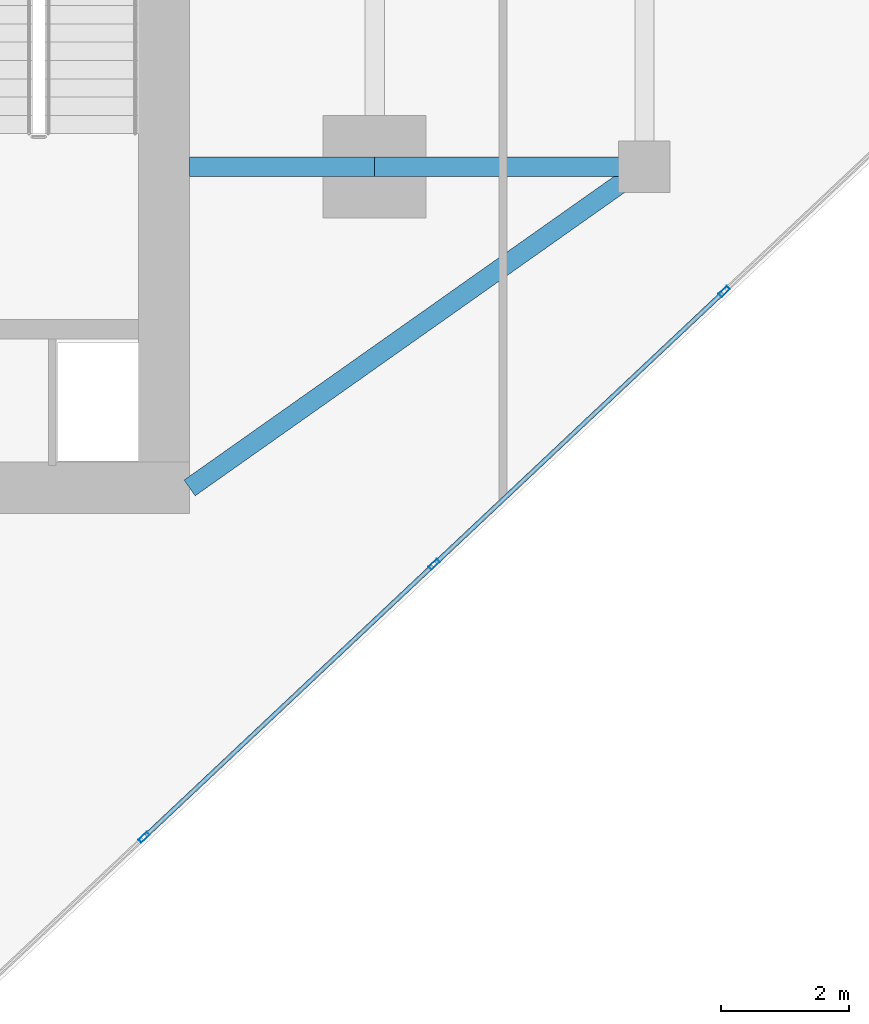
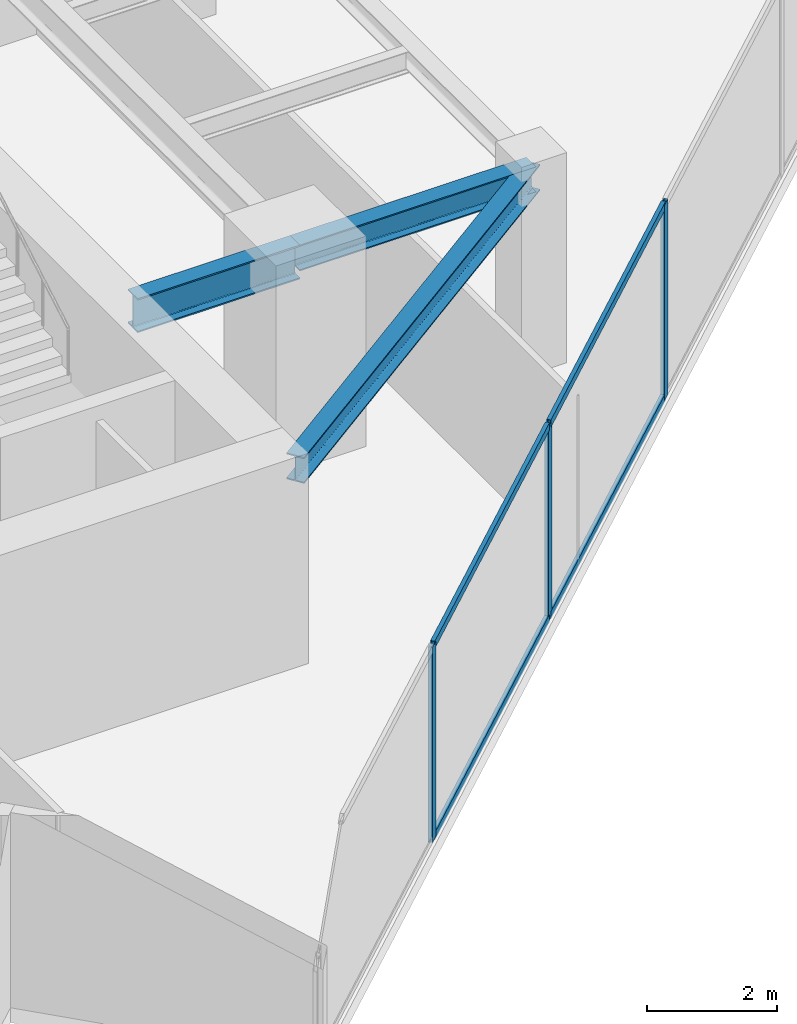
# One storey, part 9 of 25: 7 members, 3 beams, 1 element without a shape of its own.
"""IFC4 building model written with IfcOpenShell, lengths in metres."""

from ifc_helpers import new_model, si_unit, direction, frame, origin, origin_2d, place, context, subcontext, project, spatial, hollow_rectangle, i_section, extrude, source, transform, mapped, material, material_profile, profile_set, type_object, type_shapes, element, aggregate, save


model = new_model("IFC4")

# Units and contexts
model_context = context("Model", 3, precision=1e-05, world=origin(), true_north=direction((0.0, 1.0)))
body_context = subcontext(model_context, "Body", "Model", "MODEL_VIEW")
ifc_project = project(units=[si_unit("LENGTHUNIT", "METRE"), si_unit("AREAUNIT", "SQUARE_METRE"), si_unit("VOLUMEUNIT", "CUBIC_METRE"), si_unit("PLANEANGLEUNIT", "RADIAN"), si_unit("MASSUNIT", "GRAM", prefix="KILO")], contexts=[model_context])

# Site, building, storey
site_placement = place(None, origin())
site = spatial("IfcSite", under=ifc_project, at=site_placement, CompositionType="ELEMENT")
building_placement = place(site_placement, origin())
building = spatial("IfcBuilding", under=site, at=building_placement, Name="Krantzveldt Concourse Tower", CompositionType="ELEMENT")
storey_placement = place(building_placement, frame((0.0, 0.0, 238.89990234375)))
storey = spatial("IfcBuildingStorey", under=building, at=storey_placement, Name="L58", CompositionType="ELEMENT", Elevation=238.89990234375)

# Beams
ifc_material_1 = material(Name="Steel S355JR", Category="steel")
ifc_material_profile_1 = material_profile(ifc_material_1, i_section(OverallWidth=0.300048828125, OverallDepth=0.639892578125, WebThickness=0.013427734375, FlangeThickness=0.02587890625, FilletRadius=0.027099609375, at=origin_2d()), Name="Steel S355JR", Category="steel")
ifc_profile_set_1 = profile_set([ifc_material_profile_1], Name="Steel S355JR - HEA 650")
beam_type_1 = type_object("IfcBeamType", Name="BM-B-HEA650", PredefinedType="BEAM", material=ifc_profile_set_1)
shared_shape_1 = source(origin(), body_context, "Body", "SweptSolid", [
    extrude(i_section(OverallWidth=0.300048828125, OverallDepth=0.639892578125, WebThickness=0.013427734375, FlangeThickness=0.02587890625, FilletRadius=0.027099609375, at=origin_2d()), origin(), (0.0, 0.0, 1.0), 2.880126953125),
])
type_shapes(beam_type_1, [shared_shape_1])
beam_1_placement = place(storey_placement, frame((43.919921875, 15.89990234375, 3.35009765625), z_axis=(1.0, 0.0, 0.0), x_axis=(0.0, 1.0, 0.0)))
element("IfcBeam", 1, at=beam_1_placement, inside=storey, type_object=beam_type_1, Name="L58 Tower Girder BG-CE1", PredefinedType="BEAM", context=body_context, shape_type="MappedRepresentation", body=[
    mapped(shared_shape_1, transform((0.0, 0.0, 0.0), x_axis=(1.0, 0.0, 0.0), y_axis=(0.0, 1.0, 0.0), z_axis=(0.0, 0.0, 1.0), scale=1.0)),
])
ifc_material_profile_2 = material_profile(ifc_material_1, i_section(OverallWidth=0.300048828125, OverallDepth=0.489990234375, WebThickness=0.011962890625, FlangeThickness=0.02294921875, FilletRadius=0.027099609375, at=origin_2d()), Name="Steel S355JR", Category="steel")
ifc_profile_set_2 = profile_set([ifc_material_profile_2], Name="Steel S355JR - HEA 500")
beam_type_2 = type_object("IfcBeamType", Name="BM-B-HEA500", PredefinedType="BEAM", material=ifc_profile_set_2)
shared_shape_2 = source(origin(), body_context, "Body", "SweptSolid", [
    extrude(i_section(OverallWidth=0.300048828125, OverallDepth=0.489990234375, WebThickness=0.011962890625, FlangeThickness=0.02294921875, FilletRadius=0.027099609375, at=origin_2d()), origin(), (0.0, 0.0, 1.0), 4.199951171875),
])
beam_2_placement = place(storey_placement, frame((46.800048828125, 15.89990234375, 3.425048828125), z_axis=(1.0, 0.0, 0.0), x_axis=(0.0, 1.0, 0.0)))
element("IfcBeam", 2, at=beam_2_placement, inside=storey, type_object=beam_type_2, Name="L58 Tower Girder BR-RR1", PredefinedType="BEAM", context=body_context, shape_type="MappedRepresentation", body=[
    mapped(shared_shape_2, transform((0.0, 0.0, 0.0), x_axis=(1.0, 0.0, 0.0), y_axis=(0.0, 1.0, 0.0), z_axis=(0.0, 0.0, 1.0), scale=1.0)),
])
shared_shape_3 = source(origin(), body_context, "Body", "SweptSolid", [
    extrude(i_section(OverallWidth=0.300048828125, OverallDepth=0.489990234375, WebThickness=0.011962890625, FlangeThickness=0.02294921875, FilletRadius=0.027099609375, at=origin_2d()), origin(), (0.0, 0.0, 1.0), 8.667724609375),
])
type_shapes(beam_type_2, [shared_shape_2, shared_shape_3])
beam_3_placement = place(storey_placement, frame((51.0, 15.89990234375, 3.425048828125), z_axis=(-0.81684294656, -0.576860122261, 0.0), x_axis=(0.576860122261, -0.81684294656, 0.0)))
element("IfcBeam", 3, at=beam_3_placement, inside=storey, type_object=beam_type_2, Name="L58 Tower Girder BR-CSE", PredefinedType="BEAM", context=body_context, shape_type="MappedRepresentation", body=[
    mapped(shared_shape_3, transform((0.0, 0.0, 0.0), x_axis=(1.0, 0.0, 0.0), y_axis=(0.0, 1.0, 0.0), z_axis=(0.0, 0.0, 1.0), scale=1.0)),
])

# Curtain wall, members
ifc_material_2 = material(Name="Anodised aluminium 6063-T6", Category="aluminium")
curtain_wall_type = type_object("IfcCurtainWallType", Name="CW3", PredefinedType="USERDEFINED", material=ifc_material_2)
curtain_wall_placement = place(storey_placement, origin())
curtain_wall = element("IfcCurtainWall", 4, at=curtain_wall_placement, inside=storey, type_object=curtain_wall_type, Name="CW-L58-F11", ObjectType="UNITISED CURTAIN WALL", PredefinedType="USERDEFINED")
ifc_material_profile_3 = material_profile(ifc_material_2, hollow_rectangle(XDim=0.070068359375, YDim=0.179931640625, WallThickness=0.0048828125, at=origin_2d()), Name="Anodised aluminium 6063-T6", Category="aluminium")
ifc_profile_set_3 = profile_set([ifc_material_profile_3], Name="Anodised aluminium 6063-T6 - ALU-MULL 180x70x5")
member_type_1 = type_object("IfcMemberType", Name="CW-MUL-180", PredefinedType="MULLION", material=ifc_profile_set_3)
shared_shape_4 = source(origin(), body_context, "Body", "SweptSolid", [
    extrude(hollow_rectangle(XDim=0.070068359375, YDim=0.179931640625, WallThickness=0.0048828125, at=origin_2d()), origin(), (0.0, 0.0, 1.0), 3.670166015625),
])
type_shapes(member_type_1, [shared_shape_4])
member_1_placement = place(storey_placement, frame((43.210693359375, 5.461669921875, 0.0), z_axis=(0.0, 0.0, 1.0), x_axis=(-0.685182945184, 0.728371012348, 0.0)))
member_1 = element("IfcMember", 5, at=member_1_placement, type_object=member_type_1, Name="CW-Z34 mullion 2", PredefinedType="MULLION", context=body_context, shape_type="MappedRepresentation", body=[
    mapped(shared_shape_4, transform((0.0, 0.0, 0.0), x_axis=(1.0, 0.0, 0.0), y_axis=(0.0, 1.0, 0.0), z_axis=(0.0, 0.0, 1.0), scale=1.0)),
])
member_2_placement = place(storey_placement, frame((47.7265625, 9.7099609375, 0.0), z_axis=(0.0, 0.0, 1.0), x_axis=(-0.685182945184, 0.728371012348, 0.0)))
member_2 = element("IfcMember", 6, at=member_2_placement, type_object=member_type_1, Name="CW-Z34 mullion 3", PredefinedType="MULLION", context=body_context, shape_type="MappedRepresentation", body=[
    mapped(shared_shape_4, transform((0.0, 0.0, 0.0), x_axis=(1.0, 0.0, 0.0), y_axis=(0.0, 1.0, 0.0), z_axis=(0.0, 0.0, 1.0), scale=1.0)),
])
member_3_placement = place(storey_placement, frame((52.242431640625, 13.9580078125, 0.0), z_axis=(0.0, 0.0, 1.0), x_axis=(-0.685182945184, 0.728371012348, 0.0)))
member_3 = element("IfcMember", 7, at=member_3_placement, type_object=member_type_1, Name="CW-Z34 mullion 4", PredefinedType="MULLION", context=body_context, shape_type="MappedRepresentation", body=[
    mapped(shared_shape_4, transform((0.0, 0.0, 0.0), x_axis=(1.0, 0.0, 0.0), y_axis=(0.0, 1.0, 0.0), z_axis=(0.0, 0.0, 1.0), scale=1.0)),
])
ifc_material_profile_4 = material_profile(ifc_material_2, hollow_rectangle(XDim=0.070068359375, YDim=0.139892578125, WallThickness=0.0048828125, at=origin_2d()), Name="Anodised aluminium 6063-T6", Category="aluminium")
ifc_profile_set_4 = profile_set([ifc_material_profile_4], Name="Anodised aluminium 6063-T6 - ALU-TRAN 140x70x5")
member_type_2 = type_object("IfcMemberType", Name="CW-TRN-150", PredefinedType="USERDEFINED", material=ifc_profile_set_4)
shared_shape_5 = source(origin(), body_context, "Body", "SweptSolid", [
    extrude(hollow_rectangle(XDim=0.070068359375, YDim=0.139892578125, WallThickness=0.0048828125, at=origin_2d()), origin(), (0.0, 0.0, 1.0), 6.1298828125),
])
type_shapes(member_type_2, [shared_shape_5])
member_4_placement = place(storey_placement, frame((43.236328125, 5.48583984375, 0.03515625), z_axis=(0.728383543053, 0.685169624406, 0.0), x_axis=(-0.685169624406, 0.728383543053, 0.0)))
member_4 = element("IfcMember", 8, at=member_4_placement, type_object=member_type_2, Name="CW-Z34 transom 2.1", ObjectType="TRANSOM", PredefinedType="USERDEFINED", context=body_context, shape_type="MappedRepresentation", body=[
    mapped(shared_shape_5, transform((0.0, 0.0, 0.0), x_axis=(1.0, 0.0, 0.0), y_axis=(0.0, 1.0, 0.0), z_axis=(0.0, 0.0, 1.0), scale=1.0)),
])
member_5_placement = place(storey_placement, frame((43.236328125, 5.48583984375, 3.635009765625), z_axis=(0.728383543053, 0.685169624406, 0.0), x_axis=(-0.685169624406, 0.728383543053, 0.0)))
member_5 = element("IfcMember", 9, at=member_5_placement, type_object=member_type_2, Name="CW-Z34 transom 2.2", ObjectType="TRANSOM", PredefinedType="USERDEFINED", context=body_context, shape_type="MappedRepresentation", body=[
    mapped(shared_shape_5, transform((0.0, 0.0, 0.0), x_axis=(1.0, 0.0, 0.0), y_axis=(0.0, 1.0, 0.0), z_axis=(0.0, 0.0, 1.0), scale=1.0)),
])
member_6_placement = place(storey_placement, frame((47.752197265625, 9.73388671875, 0.03515625), z_axis=(0.72836366623, 0.685190754255, 0.0), x_axis=(-0.685190754255, 0.72836366623, 0.0)))
member_6 = element("IfcMember", 10, at=member_6_placement, type_object=member_type_2, Name="CW-Z34 transom 3.1", ObjectType="TRANSOM", PredefinedType="USERDEFINED", context=body_context, shape_type="MappedRepresentation", body=[
    mapped(shared_shape_5, transform((0.0, 0.0, 0.0), x_axis=(1.0, 0.0, 0.0), y_axis=(0.0, 1.0, 0.0), z_axis=(0.0, 0.0, 1.0), scale=1.0)),
])
member_7_placement = place(storey_placement, frame((47.752197265625, 9.73388671875, 3.635009765625), z_axis=(0.72836366623, 0.685190754255, 0.0), x_axis=(-0.685190754255, 0.72836366623, 0.0)))
member_7 = element("IfcMember", 11, at=member_7_placement, type_object=member_type_2, Name="CW-Z34 transom 3.2", ObjectType="TRANSOM", PredefinedType="USERDEFINED", context=body_context, shape_type="MappedRepresentation", body=[
    mapped(shared_shape_5, transform((0.0, 0.0, 0.0), x_axis=(1.0, 0.0, 0.0), y_axis=(0.0, 1.0, 0.0), z_axis=(0.0, 0.0, 1.0), scale=1.0)),
])
aggregate(curtain_wall, [member_1, member_2, member_3, member_4, member_5, member_6, member_7])

save(model, "model.ifc")
